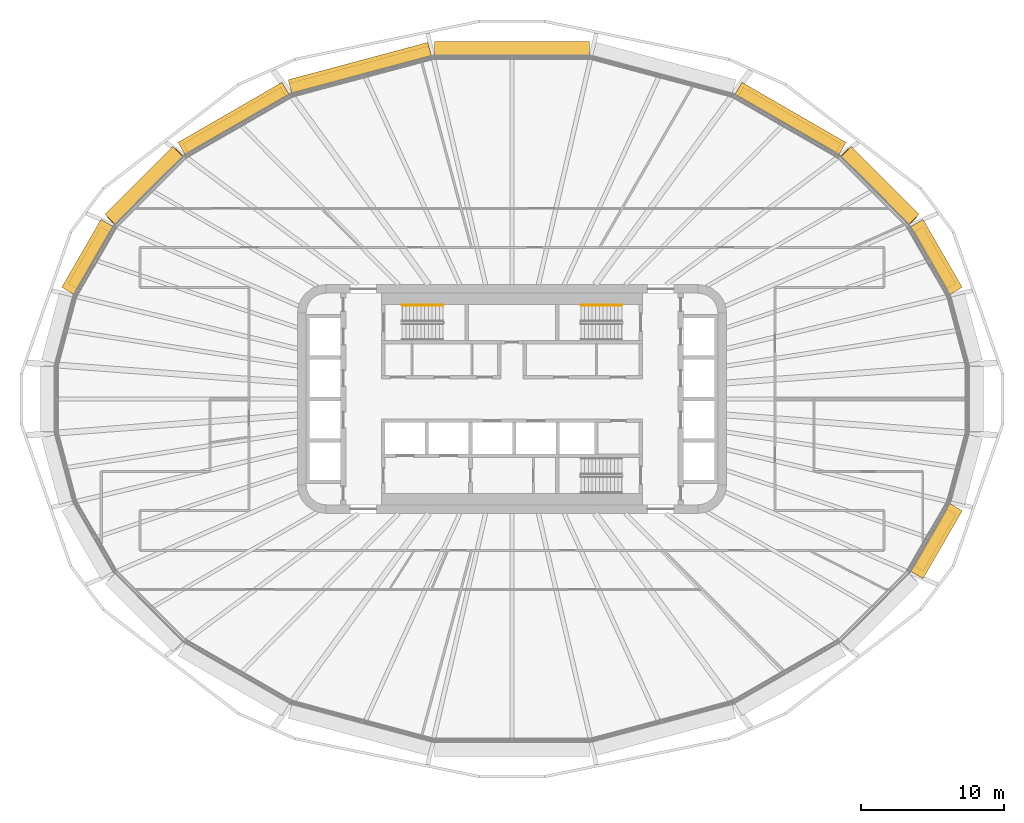
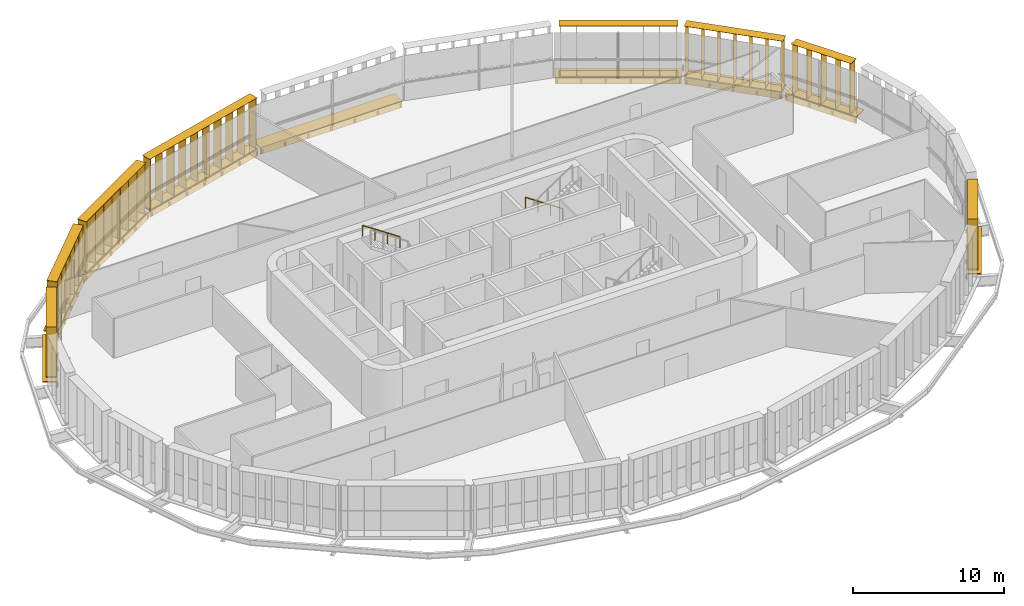
# One storey, part 24 of 25: 17 shading devices, 2 railings.
"""IFC4 building model written with IfcOpenShell, lengths in metres."""

from ifc_helpers import new_model, si_unit, direction, frame, origin, origin_2d, place, context, subcontext, project, spatial, rectangle, circle, extrude, material, type_object, element, save


model = new_model("IFC4")

# Units and contexts
model_context = context("Model", 3, precision=1e-05, world=origin(), true_north=direction((0.0, 1.0)))
body_context = subcontext(model_context, "Body", "Model", "MODEL_VIEW")
ifc_project = project(units=[si_unit("LENGTHUNIT", "METRE"), si_unit("AREAUNIT", "SQUARE_METRE"), si_unit("VOLUMEUNIT", "CUBIC_METRE"), si_unit("PLANEANGLEUNIT", "RADIAN"), si_unit("MASSUNIT", "GRAM", prefix="KILO")], contexts=[model_context])

# Site, building, storey
site_placement = place(None, origin())
site = spatial("IfcSite", under=ifc_project, at=site_placement, CompositionType="ELEMENT")
building_placement = place(site_placement, origin())
building = spatial("IfcBuilding", under=site, at=building_placement, Name="Sahrelin Media Tower", CompositionType="ELEMENT")
storey_placement = place(building_placement, frame((0.0, 0.0, 110.39990234375)))
storey = spatial("IfcBuildingStorey", under=building, at=storey_placement, Name="L21", CompositionType="ELEMENT", Elevation=110.39990234375)

# Shading devices
ifc_material_1 = material(Name="Champagne anodised aluminium 6063-T6", Category="aluminium")
shading_device_type_1 = type_object("IfcShadingDeviceType", Name="Fin cassette", PredefinedType="USERDEFINED", material=ifc_material_1)
placement_1 = place(storey_placement, frame((29.231689453125, 9.67041015625, 0.0), z_axis=(0.0, 0.0, 1.0), x_axis=(0.500011000363, -0.866019052629, 0.0)))
element("IfcShadingDevice", 1, at=placement_1, inside=storey, type_object=shading_device_type_1, Name="L21:FIN:L21-02", ObjectType="FIN", PredefinedType="USERDEFINED", context=body_context, shape_type="SweptSolid", body=[
    extrude(rectangle(XDim=4.60009765625, YDim=0.699951171875, at=origin_2d()), frame((0.0, 0.419921875, 0.0)), (0.0, 0.0, 1.0), 0.02001953125),
    extrude(rectangle(XDim=4.60009765625, YDim=0.699951171875, at=origin_2d()), frame((0.0, 0.419921875, 4.10009765625)), (0.0, 0.0, 1.0), 0.02001953125),
    extrude(rectangle(XDim=0.02001953125, YDim=0.699951171875, at=origin_2d()), frame((-2.199951171875, 0.419921875, 0.010009765625), z_axis=(0.0, 0.0, 1.0), x_axis=(1.0, 0.0, 0.0)), (0.0, 0.0, 1.0), 4.10009765625),
    extrude(rectangle(XDim=0.02001953125, YDim=0.699951171875, at=origin_2d()), frame((-1.10009765625, 0.419921875, 0.010009765625), z_axis=(0.0, 0.0, 1.0), x_axis=(1.0, 0.0, 0.0)), (0.0, 0.0, 1.0), 4.10009765625),
    extrude(rectangle(XDim=0.02001953125, YDim=0.699951171875, at=origin_2d()), frame((0.0, 0.419921875, 0.010009765625), z_axis=(0.0, 0.0, 1.0), x_axis=(1.0, 0.0, 0.0)), (0.0, 0.0, 1.0), 4.10009765625),
    extrude(rectangle(XDim=0.02001953125, YDim=0.699951171875, at=origin_2d()), frame((1.10009765625, 0.419921875, 0.010009765625), z_axis=(0.0, 0.0, 1.0), x_axis=(1.0, 0.0, 0.0)), (0.0, 0.0, 1.0), 4.10009765625),
    extrude(rectangle(XDim=0.02001953125, YDim=0.699951171875, at=origin_2d()), frame((2.199951171875, 0.419921875, 0.010009765625), z_axis=(0.0, 0.0, 1.0), x_axis=(1.0, 0.0, 0.0)), (0.0, 0.0, 1.0), 4.10009765625),
])
placement_2 = place(storey_placement, frame((25.371337890625, 14.5703125, 0.0), z_axis=(0.0, 0.0, 1.0), x_axis=(0.707106781187, -0.707106781187, 0.0)))
element("IfcShadingDevice", 2, at=placement_2, inside=storey, type_object=shading_device_type_1, Name="L21:FIN:L21-03", ObjectType="FIN", PredefinedType="USERDEFINED", context=body_context, shape_type="SweptSolid", body=[
    extrude(rectangle(XDim=6.800048828125, YDim=0.699951171875, at=origin_2d()), frame((0.0, 0.419921875, 0.0)), (0.0, 0.0, 1.0), 0.02001953125),
    extrude(rectangle(XDim=6.800048828125, YDim=0.699951171875, at=origin_2d()), frame((0.0, 0.419921875, 4.10009765625)), (0.0, 0.0, 1.0), 0.02001953125),
    extrude(rectangle(XDim=0.02001953125, YDim=0.699951171875, at=origin_2d()), frame((-3.300048828125, 0.419921875, 0.010009765625), z_axis=(0.0, 0.0, 1.0), x_axis=(1.0, 0.0, 0.0)), (0.0, 0.0, 1.0), 4.10009765625),
    extrude(rectangle(XDim=0.02001953125, YDim=0.699951171875, at=origin_2d()), frame((-2.199951171875, 0.419921875, 0.010009765625), z_axis=(0.0, 0.0, 1.0), x_axis=(1.0, 0.0, 0.0)), (0.0, 0.0, 1.0), 4.10009765625),
    extrude(rectangle(XDim=0.02001953125, YDim=0.699951171875, at=origin_2d()), frame((-1.10009765625, 0.419921875, 0.010009765625), z_axis=(0.0, 0.0, 1.0), x_axis=(1.0, 0.0, 0.0)), (0.0, 0.0, 1.0), 4.10009765625),
    extrude(rectangle(XDim=0.02001953125, YDim=0.699951171875, at=origin_2d()), frame((0.0, 0.419921875, 0.010009765625), z_axis=(0.0, 0.0, 1.0), x_axis=(1.0, 0.0, 0.0)), (0.0, 0.0, 1.0), 4.10009765625),
    extrude(rectangle(XDim=0.02001953125, YDim=0.699951171875, at=origin_2d()), frame((1.10009765625, 0.419921875, 0.010009765625), z_axis=(0.0, 0.0, 1.0), x_axis=(1.0, 0.0, 0.0)), (0.0, 0.0, 1.0), 4.10009765625),
    extrude(rectangle(XDim=0.02001953125, YDim=0.699951171875, at=origin_2d()), frame((2.199951171875, 0.419921875, 0.010009765625), z_axis=(0.0, 0.0, 1.0), x_axis=(1.0, 0.0, 0.0)), (0.0, 0.0, 1.0), 4.10009765625),
    extrude(rectangle(XDim=0.02001953125, YDim=0.699951171875, at=origin_2d()), frame((3.300048828125, 0.419921875, 0.010009765625), z_axis=(0.0, 0.0, 1.0), x_axis=(1.0, 0.0, 0.0)), (0.0, 0.0, 1.0), 4.10009765625),
])
placement_3 = place(storey_placement, frame((19.20751953125, 19.160400390625, 0.0), z_axis=(0.0, 0.0, 1.0), x_axis=(0.866019052629, -0.500011000363, 0.0)))
element("IfcShadingDevice", 3, at=placement_3, inside=storey, type_object=shading_device_type_1, Name="L21:FIN:L21-04", ObjectType="FIN", PredefinedType="USERDEFINED", context=body_context, shape_type="SweptSolid", body=[
    extrude(rectangle(XDim=7.89990234375, YDim=0.699951171875, at=origin_2d()), frame((0.0, 0.419921875, 0.0)), (0.0, 0.0, 1.0), 0.02001953125),
    extrude(rectangle(XDim=7.89990234375, YDim=0.699951171875, at=origin_2d()), frame((0.0, 0.419921875, 4.10009765625)), (0.0, 0.0, 1.0), 0.02001953125),
    extrude(rectangle(XDim=0.02001953125, YDim=0.699951171875, at=origin_2d()), frame((-3.85009765625, 0.419921875, 0.010009765625), z_axis=(0.0, 0.0, 1.0), x_axis=(1.0, 0.0, 0.0)), (0.0, 0.0, 1.0), 4.10009765625),
    extrude(rectangle(XDim=0.02001953125, YDim=0.699951171875, at=origin_2d()), frame((-2.75, 0.419921875, 0.010009765625), z_axis=(0.0, 0.0, 1.0), x_axis=(1.0, 0.0, 0.0)), (0.0, 0.0, 1.0), 4.10009765625),
    extrude(rectangle(XDim=0.02001953125, YDim=0.699951171875, at=origin_2d()), frame((-1.64990234375, 0.419921875, 0.010009765625), z_axis=(0.0, 0.0, 1.0), x_axis=(1.0, 0.0, 0.0)), (0.0, 0.0, 1.0), 4.10009765625),
    extrude(rectangle(XDim=0.02001953125, YDim=0.699951171875, at=origin_2d()), frame((-0.550048828125, 0.419921875, 0.010009765625), z_axis=(0.0, 0.0, 1.0), x_axis=(1.0, 0.0, 0.0)), (0.0, 0.0, 1.0), 4.10009765625),
    extrude(rectangle(XDim=0.02001953125, YDim=0.699951171875, at=origin_2d()), frame((0.550048828125, 0.419921875, 0.010009765625), z_axis=(0.0, 0.0, 1.0), x_axis=(1.0, 0.0, 0.0)), (0.0, 0.0, 1.0), 4.10009765625),
    extrude(rectangle(XDim=0.02001953125, YDim=0.699951171875, at=origin_2d()), frame((1.64990234375, 0.419921875, 0.010009765625), z_axis=(0.0, 0.0, 1.0), x_axis=(1.0, 0.0, 0.0)), (0.0, 0.0, 1.0), 4.10009765625),
    extrude(rectangle(XDim=0.02001953125, YDim=0.699951171875, at=origin_2d()), frame((2.75, 0.419921875, 0.010009765625), z_axis=(0.0, 0.0, 1.0), x_axis=(1.0, 0.0, 0.0)), (0.0, 0.0, 1.0), 4.10009765625),
    extrude(rectangle(XDim=0.02001953125, YDim=0.699951171875, at=origin_2d()), frame((3.85009765625, 0.419921875, 0.010009765625), z_axis=(0.0, 0.0, 1.0), x_axis=(1.0, 0.0, 0.0)), (0.0, 0.0, 1.0), 4.10009765625),
])
placement_4 = place(storey_placement, frame((-10.50732421875, 22.643798828125, 0.0), z_axis=(0.0, 0.0, 1.0), x_axis=(0.965928857556, 0.258807731996, 0.0)))
element("IfcShadingDevice", 4, at=placement_4, inside=storey, type_object=shading_device_type_1, Name="L21:FIN:L21-07", ObjectType="FIN", PredefinedType="USERDEFINED", context=body_context, shape_type="SweptSolid", body=[
    extrude(rectangle(XDim=10.10009765625, YDim=0.699951171875, at=origin_2d()), frame((0.0, 0.419921875, 0.0)), (0.0, 0.0, 1.0), 0.02001953125),
    extrude(rectangle(XDim=10.10009765625, YDim=0.699951171875, at=origin_2d()), frame((0.0, 0.419921875, 4.10009765625)), (0.0, 0.0, 1.0), 0.02001953125),
    extrude(rectangle(XDim=0.02001953125, YDim=0.699951171875, at=origin_2d()), frame((-4.949951171875, 0.419921875, 0.010009765625), z_axis=(0.0, 0.0, 1.0), x_axis=(1.0, 0.0, 0.0)), (0.0, 0.0, 1.0), 4.10009765625),
    extrude(rectangle(XDim=0.02001953125, YDim=0.699951171875, at=origin_2d()), frame((-3.85009765625, 0.419921875, 0.010009765625), z_axis=(0.0, 0.0, 1.0), x_axis=(1.0, 0.0, 0.0)), (0.0, 0.0, 1.0), 4.10009765625),
    extrude(rectangle(XDim=0.02001953125, YDim=0.699951171875, at=origin_2d()), frame((-2.75, 0.419921875, 0.010009765625), z_axis=(0.0, 0.0, 1.0), x_axis=(1.0, 0.0, 0.0)), (0.0, 0.0, 1.0), 4.10009765625),
    extrude(rectangle(XDim=0.02001953125, YDim=0.699951171875, at=origin_2d()), frame((-1.64990234375, 0.419921875, 0.010009765625), z_axis=(0.0, 0.0, 1.0), x_axis=(1.0, 0.0, 0.0)), (0.0, 0.0, 1.0), 4.10009765625),
    extrude(rectangle(XDim=0.02001953125, YDim=0.699951171875, at=origin_2d()), frame((-0.550048828125, 0.419921875, 0.010009765625), z_axis=(0.0, 0.0, 1.0), x_axis=(1.0, 0.0, 0.0)), (0.0, 0.0, 1.0), 4.10009765625),
    extrude(rectangle(XDim=0.02001953125, YDim=0.699951171875, at=origin_2d()), frame((0.550048828125, 0.419921875, 0.010009765625), z_axis=(0.0, 0.0, 1.0), x_axis=(1.0, 0.0, 0.0)), (0.0, 0.0, 1.0), 4.10009765625),
    extrude(rectangle(XDim=0.02001953125, YDim=0.699951171875, at=origin_2d()), frame((1.64990234375, 0.419921875, 0.010009765625), z_axis=(0.0, 0.0, 1.0), x_axis=(1.0, 0.0, 0.0)), (0.0, 0.0, 1.0), 4.10009765625),
    extrude(rectangle(XDim=0.02001953125, YDim=0.699951171875, at=origin_2d()), frame((2.75, 0.419921875, 0.010009765625), z_axis=(0.0, 0.0, 1.0), x_axis=(1.0, 0.0, 0.0)), (0.0, 0.0, 1.0), 4.10009765625),
    extrude(rectangle(XDim=0.02001953125, YDim=0.699951171875, at=origin_2d()), frame((3.85009765625, 0.419921875, 0.010009765625), z_axis=(0.0, 0.0, 1.0), x_axis=(1.0, 0.0, 0.0)), (0.0, 0.0, 1.0), 4.10009765625),
    extrude(rectangle(XDim=0.02001953125, YDim=0.699951171875, at=origin_2d()), frame((4.949951171875, 0.419921875, 0.010009765625), z_axis=(0.0, 0.0, 1.0), x_axis=(1.0, 0.0, 0.0)), (0.0, 0.0, 1.0), 4.10009765625),
])
placement_5 = place(storey_placement, frame((-19.20751953125, 19.160400390625, 0.0), z_axis=(0.0, 0.0, 1.0), x_axis=(0.866019052629, 0.500011000363, 0.0)))
element("IfcShadingDevice", 5, at=placement_5, inside=storey, type_object=shading_device_type_1, Name="L21:FIN:L21-08", ObjectType="FIN", PredefinedType="USERDEFINED", context=body_context, shape_type="SweptSolid", body=[
    extrude(rectangle(XDim=7.89990234375, YDim=0.699951171875, at=origin_2d()), frame((0.0, 0.419921875, 0.0)), (0.0, 0.0, 1.0), 0.02001953125),
    extrude(rectangle(XDim=7.89990234375, YDim=0.699951171875, at=origin_2d()), frame((0.0, 0.419921875, 4.10009765625)), (0.0, 0.0, 1.0), 0.02001953125),
    extrude(rectangle(XDim=0.02001953125, YDim=0.699951171875, at=origin_2d()), frame((-3.85009765625, 0.419921875, 0.010009765625), z_axis=(0.0, 0.0, 1.0), x_axis=(1.0, 0.0, 0.0)), (0.0, 0.0, 1.0), 4.10009765625),
    extrude(rectangle(XDim=0.02001953125, YDim=0.699951171875, at=origin_2d()), frame((-2.75, 0.419921875, 0.010009765625), z_axis=(0.0, 0.0, 1.0), x_axis=(1.0, 0.0, 0.0)), (0.0, 0.0, 1.0), 4.10009765625),
    extrude(rectangle(XDim=0.02001953125, YDim=0.699951171875, at=origin_2d()), frame((-1.64990234375, 0.419921875, 0.010009765625), z_axis=(0.0, 0.0, 1.0), x_axis=(1.0, 0.0, 0.0)), (0.0, 0.0, 1.0), 4.10009765625),
    extrude(rectangle(XDim=0.02001953125, YDim=0.699951171875, at=origin_2d()), frame((-0.550048828125, 0.419921875, 0.010009765625), z_axis=(0.0, 0.0, 1.0), x_axis=(1.0, 0.0, 0.0)), (0.0, 0.0, 1.0), 4.10009765625),
    extrude(rectangle(XDim=0.02001953125, YDim=0.699951171875, at=origin_2d()), frame((0.550048828125, 0.419921875, 0.010009765625), z_axis=(0.0, 0.0, 1.0), x_axis=(1.0, 0.0, 0.0)), (0.0, 0.0, 1.0), 4.10009765625),
    extrude(rectangle(XDim=0.02001953125, YDim=0.699951171875, at=origin_2d()), frame((1.64990234375, 0.419921875, 0.010009765625), z_axis=(0.0, 0.0, 1.0), x_axis=(1.0, 0.0, 0.0)), (0.0, 0.0, 1.0), 4.10009765625),
    extrude(rectangle(XDim=0.02001953125, YDim=0.699951171875, at=origin_2d()), frame((2.75, 0.419921875, 0.010009765625), z_axis=(0.0, 0.0, 1.0), x_axis=(1.0, 0.0, 0.0)), (0.0, 0.0, 1.0), 4.10009765625),
    extrude(rectangle(XDim=0.02001953125, YDim=0.699951171875, at=origin_2d()), frame((3.85009765625, 0.419921875, 0.010009765625), z_axis=(0.0, 0.0, 1.0), x_axis=(1.0, 0.0, 0.0)), (0.0, 0.0, 1.0), 4.10009765625),
])
placement_6 = place(storey_placement, frame((-25.371337890625, 14.5703125, 0.0), z_axis=(0.0, 0.0, 1.0), x_axis=(0.707106781187, 0.707106781187, 0.0)))
element("IfcShadingDevice", 6, at=placement_6, inside=storey, type_object=shading_device_type_1, Name="L21:FIN:L21-09", ObjectType="FIN", PredefinedType="USERDEFINED", context=body_context, shape_type="SweptSolid", body=[
    extrude(rectangle(XDim=6.800048828125, YDim=0.699951171875, at=origin_2d()), frame((0.0, 0.419921875, 0.0)), (0.0, 0.0, 1.0), 0.02001953125),
    extrude(rectangle(XDim=6.800048828125, YDim=0.699951171875, at=origin_2d()), frame((0.0, 0.419921875, 4.10009765625)), (0.0, 0.0, 1.0), 0.02001953125),
    extrude(rectangle(XDim=0.02001953125, YDim=0.699951171875, at=origin_2d()), frame((-3.300048828125, 0.419921875, 0.010009765625), z_axis=(0.0, 0.0, 1.0), x_axis=(1.0, 0.0, 0.0)), (0.0, 0.0, 1.0), 4.10009765625),
    extrude(rectangle(XDim=0.02001953125, YDim=0.699951171875, at=origin_2d()), frame((-2.199951171875, 0.419921875, 0.010009765625), z_axis=(0.0, 0.0, 1.0), x_axis=(1.0, 0.0, 0.0)), (0.0, 0.0, 1.0), 4.10009765625),
    extrude(rectangle(XDim=0.02001953125, YDim=0.699951171875, at=origin_2d()), frame((-1.10009765625, 0.419921875, 0.010009765625), z_axis=(0.0, 0.0, 1.0), x_axis=(1.0, 0.0, 0.0)), (0.0, 0.0, 1.0), 4.10009765625),
    extrude(rectangle(XDim=0.02001953125, YDim=0.699951171875, at=origin_2d()), frame((0.0, 0.419921875, 0.010009765625), z_axis=(0.0, 0.0, 1.0), x_axis=(1.0, 0.0, 0.0)), (0.0, 0.0, 1.0), 4.10009765625),
    extrude(rectangle(XDim=0.02001953125, YDim=0.699951171875, at=origin_2d()), frame((1.10009765625, 0.419921875, 0.010009765625), z_axis=(0.0, 0.0, 1.0), x_axis=(1.0, 0.0, 0.0)), (0.0, 0.0, 1.0), 4.10009765625),
    extrude(rectangle(XDim=0.02001953125, YDim=0.699951171875, at=origin_2d()), frame((2.199951171875, 0.419921875, 0.010009765625), z_axis=(0.0, 0.0, 1.0), x_axis=(1.0, 0.0, 0.0)), (0.0, 0.0, 1.0), 4.10009765625),
    extrude(rectangle(XDim=0.02001953125, YDim=0.699951171875, at=origin_2d()), frame((3.300048828125, 0.419921875, 0.010009765625), z_axis=(0.0, 0.0, 1.0), x_axis=(1.0, 0.0, 0.0)), (0.0, 0.0, 1.0), 4.10009765625),
])
placement_7 = place(storey_placement, frame((-29.231689453125, 9.67041015625, 0.0), z_axis=(0.0, 0.0, 1.0), x_axis=(0.500011000363, 0.866019052629, 0.0)))
element("IfcShadingDevice", 7, at=placement_7, inside=storey, type_object=shading_device_type_1, Name="L21:FIN:L21-10", ObjectType="FIN", PredefinedType="USERDEFINED", context=body_context, shape_type="SweptSolid", body=[
    extrude(rectangle(XDim=4.60009765625, YDim=0.699951171875, at=origin_2d()), frame((0.0, 0.419921875, 0.0)), (0.0, 0.0, 1.0), 0.02001953125),
    extrude(rectangle(XDim=4.60009765625, YDim=0.699951171875, at=origin_2d()), frame((0.0, 0.419921875, 4.10009765625)), (0.0, 0.0, 1.0), 0.02001953125),
    extrude(rectangle(XDim=0.02001953125, YDim=0.699951171875, at=origin_2d()), frame((-2.199951171875, 0.419921875, 0.010009765625), z_axis=(0.0, 0.0, 1.0), x_axis=(1.0, 0.0, 0.0)), (0.0, 0.0, 1.0), 4.10009765625),
    extrude(rectangle(XDim=0.02001953125, YDim=0.699951171875, at=origin_2d()), frame((-1.10009765625, 0.419921875, 0.010009765625), z_axis=(0.0, 0.0, 1.0), x_axis=(1.0, 0.0, 0.0)), (0.0, 0.0, 1.0), 4.10009765625),
    extrude(rectangle(XDim=0.02001953125, YDim=0.699951171875, at=origin_2d()), frame((0.0, 0.419921875, 0.010009765625), z_axis=(0.0, 0.0, 1.0), x_axis=(1.0, 0.0, 0.0)), (0.0, 0.0, 1.0), 4.10009765625),
    extrude(rectangle(XDim=0.02001953125, YDim=0.699951171875, at=origin_2d()), frame((1.10009765625, 0.419921875, 0.010009765625), z_axis=(0.0, 0.0, 1.0), x_axis=(1.0, 0.0, 0.0)), (0.0, 0.0, 1.0), 4.10009765625),
    extrude(rectangle(XDim=0.02001953125, YDim=0.699951171875, at=origin_2d()), frame((2.199951171875, 0.419921875, 0.010009765625), z_axis=(0.0, 0.0, 1.0), x_axis=(1.0, 0.0, 0.0)), (0.0, 0.0, 1.0), 4.10009765625),
])
placement_8 = place(storey_placement, frame((29.231689453125, -9.67041015625, 0.0), z_axis=(0.0, 0.0, 1.0), x_axis=(-0.500011000363, -0.866019052629, 0.0)))
element("IfcShadingDevice", 8, at=placement_8, inside=storey, type_object=shading_device_type_1, Name="L21:FIN:L21-22", ObjectType="FIN", PredefinedType="USERDEFINED", context=body_context, shape_type="SweptSolid", body=[
    extrude(rectangle(XDim=4.60009765625, YDim=0.699951171875, at=origin_2d()), frame((0.0, 0.419921875, 0.0)), (0.0, 0.0, 1.0), 0.02001953125),
    extrude(rectangle(XDim=4.60009765625, YDim=0.699951171875, at=origin_2d()), frame((0.0, 0.419921875, 4.10009765625)), (0.0, 0.0, 1.0), 0.02001953125),
    extrude(rectangle(XDim=0.02001953125, YDim=0.699951171875, at=origin_2d()), frame((-2.199951171875, 0.419921875, 0.010009765625), z_axis=(0.0, 0.0, 1.0), x_axis=(1.0, 0.0, 0.0)), (0.0, 0.0, 1.0), 4.10009765625),
    extrude(rectangle(XDim=0.02001953125, YDim=0.699951171875, at=origin_2d()), frame((-1.10009765625, 0.419921875, 0.010009765625), z_axis=(0.0, 0.0, 1.0), x_axis=(1.0, 0.0, 0.0)), (0.0, 0.0, 1.0), 4.10009765625),
    extrude(rectangle(XDim=0.02001953125, YDim=0.699951171875, at=origin_2d()), frame((0.0, 0.419921875, 0.010009765625), z_axis=(0.0, 0.0, 1.0), x_axis=(1.0, 0.0, 0.0)), (0.0, 0.0, 1.0), 4.10009765625),
    extrude(rectangle(XDim=0.02001953125, YDim=0.699951171875, at=origin_2d()), frame((1.10009765625, 0.419921875, 0.010009765625), z_axis=(0.0, 0.0, 1.0), x_axis=(1.0, 0.0, 0.0)), (0.0, 0.0, 1.0), 4.10009765625),
    extrude(rectangle(XDim=0.02001953125, YDim=0.699951171875, at=origin_2d()), frame((2.199951171875, 0.419921875, 0.010009765625), z_axis=(0.0, 0.0, 1.0), x_axis=(1.0, 0.0, 0.0)), (0.0, 0.0, 1.0), 4.10009765625),
])

# Railings
ifc_material_2 = material(Name="Steel S355", Category="steel")
railing_type = type_object("IfcRailingType", Name="Stair handrail 900", PredefinedType="HANDRAIL", material=ifc_material_2)
for number, where, name in (
    (9, (-4.81494140625, 6.550048828125, 2.275146484375), "L21 ST1 stair handrail 2"),
    (10, (7.675048828125, 6.550048828125, 0.175048828125), "L21 ST3 stair handrail 1"),
):
    element("IfcRailing", number, at=place(storey_placement, frame(where)), inside=storey, type_object=railing_type, Name=name, PredefinedType="HANDRAIL", context=body_context, shape_type="SweptSolid", body=[
        extrude(circle(Radius=0.02392578125, at=origin_2d()), frame((0.0, 0.0, 0.8759765625), z_axis=(-0.829590901723, 0.0, 0.558371682465), x_axis=(0.0, -1.0, 0.0)), (0.0, 0.0, 1.0), 3.447509765625),
        extrude(circle(Radius=0.02099609375, at=origin_2d()), origin(), (0.0, 0.0, 1.0), 0.851806640625),
        extrude(circle(Radius=0.02099609375, at=origin_2d()), frame((-0.953369140625, 0.0, 0.6416015625)), (0.0, 0.0, 1.0), 0.851806640625),
        extrude(circle(Radius=0.02099609375, at=origin_2d()), frame((-1.90673828125, 0.0, 1.283447265625)), (0.0, 0.0, 1.0), 0.851806640625),
        extrude(circle(Radius=0.02099609375, at=origin_2d()), frame((-2.860107421875, 0.0, 1.925048828125)), (0.0, 0.0, 1.0), 0.851806640625),
    ])

# Shading devices
shading_device_type_2 = type_object("IfcShadingDeviceType", Name="Sunshade band", PredefinedType="USERDEFINED", material=ifc_material_1)
element("IfcShadingDevice", 11, at=placement_1, inside=storey, type_object=shading_device_type_2, Name="L21:SUN:L21-02", ObjectType="SUNSHADE", PredefinedType="USERDEFINED", context=body_context, shape_type="SweptSolid", body=[
    extrude(rectangle(XDim=5.481201171875, YDim=0.050048828125, at=origin_2d()), frame((0.0, 0.044921875, -0.55126953125)), (0.0, 0.0, 1.0), 0.471435546875),
    extrude(rectangle(XDim=5.481201171875, YDim=1.0, at=origin_2d()), frame((0.0, 0.52001953125, -0.080078125)), (0.0, 0.0, 1.0), 0.080078125),
    extrude(rectangle(XDim=0.10009765625, YDim=0.074951171875, at=origin_2d()), frame((-2.640625, -0.017578125, -0.47021484375)), (0.0, 0.0, 1.0), 0.300048828125),
    extrude(rectangle(XDim=0.10009765625, YDim=0.074951171875, at=origin_2d()), frame((-0.880126953125, -0.017578125, -0.47021484375)), (0.0, 0.0, 1.0), 0.300048828125),
    extrude(rectangle(XDim=0.10009765625, YDim=0.074951171875, at=origin_2d()), frame((0.880126953125, -0.017578125, -0.47021484375)), (0.0, 0.0, 1.0), 0.300048828125),
    extrude(rectangle(XDim=0.10009765625, YDim=0.074951171875, at=origin_2d()), frame((2.640625, -0.017578125, -0.47021484375)), (0.0, 0.0, 1.0), 0.300048828125),
])
element("IfcShadingDevice", 12, at=placement_2, inside=storey, type_object=shading_device_type_2, Name="L21:SUN:L21-03", ObjectType="SUNSHADE", PredefinedType="USERDEFINED", context=body_context, shape_type="SweptSolid", body=[
    extrude(rectangle(XDim=6.701416015625, YDim=0.050048828125, at=origin_2d()), frame((0.0, 0.044921875, -0.55126953125)), (0.0, 0.0, 1.0), 0.471435546875),
    extrude(rectangle(XDim=6.701416015625, YDim=1.0, at=origin_2d()), frame((0.0, 0.52001953125, -0.080078125)), (0.0, 0.0, 1.0), 0.080078125),
    extrude(rectangle(XDim=0.10009765625, YDim=0.074951171875, at=origin_2d()), frame((-3.250732421875, -0.017578125, -0.47021484375)), (0.0, 0.0, 1.0), 0.300048828125),
    extrude(rectangle(XDim=0.10009765625, YDim=0.074951171875, at=origin_2d()), frame((-1.625244140625, -0.017578125, -0.47021484375)), (0.0, 0.0, 1.0), 0.300048828125),
    extrude(rectangle(XDim=0.10009765625, YDim=0.074951171875, at=origin_2d()), frame((0.0, -0.017578125, -0.47021484375)), (0.0, 0.0, 1.0), 0.300048828125),
    extrude(rectangle(XDim=0.10009765625, YDim=0.074951171875, at=origin_2d()), frame((1.625244140625, -0.017578125, -0.47021484375)), (0.0, 0.0, 1.0), 0.300048828125),
    extrude(rectangle(XDim=0.10009765625, YDim=0.074951171875, at=origin_2d()), frame((3.250732421875, -0.017578125, -0.47021484375)), (0.0, 0.0, 1.0), 0.300048828125),
])
element("IfcShadingDevice", 13, at=placement_3, inside=storey, type_object=shading_device_type_2, Name="L21:SUN:L21-04", ObjectType="SUNSHADE", PredefinedType="USERDEFINED", context=body_context, shape_type="SweptSolid", body=[
    extrude(rectangle(XDim=8.39990234375, YDim=0.050048828125, at=origin_2d()), frame((0.0, 0.044921875, -0.55126953125)), (0.0, 0.0, 1.0), 0.471435546875),
    extrude(rectangle(XDim=8.39990234375, YDim=1.0, at=origin_2d()), frame((0.0, 0.52001953125, -0.080078125)), (0.0, 0.0, 1.0), 0.080078125),
    extrude(rectangle(XDim=0.10009765625, YDim=0.074951171875, at=origin_2d()), frame((-4.10009765625, -0.017578125, -0.47021484375)), (0.0, 0.0, 1.0), 0.300048828125),
    extrude(rectangle(XDim=0.10009765625, YDim=0.074951171875, at=origin_2d()), frame((-2.4599609375, -0.017578125, -0.47021484375)), (0.0, 0.0, 1.0), 0.300048828125),
    extrude(rectangle(XDim=0.10009765625, YDim=0.074951171875, at=origin_2d()), frame((-0.820068359375, -0.017578125, -0.47021484375)), (0.0, 0.0, 1.0), 0.300048828125),
    extrude(rectangle(XDim=0.10009765625, YDim=0.074951171875, at=origin_2d()), frame((0.820068359375, -0.017578125, -0.47021484375)), (0.0, 0.0, 1.0), 0.300048828125),
    extrude(rectangle(XDim=0.10009765625, YDim=0.074951171875, at=origin_2d()), frame((2.4599609375, -0.017578125, -0.47021484375)), (0.0, 0.0, 1.0), 0.300048828125),
    extrude(rectangle(XDim=0.10009765625, YDim=0.074951171875, at=origin_2d()), frame((4.10009765625, -0.017578125, -0.47021484375)), (0.0, 0.0, 1.0), 0.300048828125),
])
shading_device_12_placement = place(storey_placement, frame((0.0, 23.97705078125, 0.0), z_axis=(0.0, 0.0, 1.0), x_axis=(1.0, 0.0, 0.0)))
element("IfcShadingDevice", 14, at=shading_device_12_placement, inside=storey, type_object=shading_device_type_2, Name="L21:SUN:L21-06", ObjectType="SUNSHADE", PredefinedType="USERDEFINED", context=body_context, shape_type="SweptSolid", body=[
    extrude(rectangle(XDim=10.86181640625, YDim=0.050048828125, at=origin_2d()), frame((0.0, 0.044921875, -0.55126953125)), (0.0, 0.0, 1.0), 0.471435546875),
    extrude(rectangle(XDim=10.86181640625, YDim=1.0, at=origin_2d()), frame((0.0, 0.52001953125, -0.080078125)), (0.0, 0.0, 1.0), 0.080078125),
    extrude(rectangle(XDim=0.10009765625, YDim=0.074951171875, at=origin_2d()), frame((-5.330810546875, -0.017578125, -0.47021484375)), (0.0, 0.0, 1.0), 0.300048828125),
    extrude(rectangle(XDim=0.10009765625, YDim=0.074951171875, at=origin_2d()), frame((-3.553955078125, -0.017578125, -0.47021484375)), (0.0, 0.0, 1.0), 0.300048828125),
    extrude(rectangle(XDim=0.10009765625, YDim=0.074951171875, at=origin_2d()), frame((-1.777099609375, -0.017578125, -0.47021484375)), (0.0, 0.0, 1.0), 0.300048828125),
    extrude(rectangle(XDim=0.10009765625, YDim=0.074951171875, at=origin_2d()), frame((0.0, -0.017578125, -0.47021484375)), (0.0, 0.0, 1.0), 0.300048828125),
    extrude(rectangle(XDim=0.10009765625, YDim=0.074951171875, at=origin_2d()), frame((1.777099609375, -0.017578125, -0.47021484375)), (0.0, 0.0, 1.0), 0.300048828125),
    extrude(rectangle(XDim=0.10009765625, YDim=0.074951171875, at=origin_2d()), frame((3.553955078125, -0.017578125, -0.47021484375)), (0.0, 0.0, 1.0), 0.300048828125),
    extrude(rectangle(XDim=0.10009765625, YDim=0.074951171875, at=origin_2d()), frame((5.330810546875, -0.017578125, -0.47021484375)), (0.0, 0.0, 1.0), 0.300048828125),
])
element("IfcShadingDevice", 15, at=placement_4, inside=storey, type_object=shading_device_type_2, Name="L21:SUN:L21-07", ObjectType="SUNSHADE", PredefinedType="USERDEFINED", context=body_context, shape_type="SweptSolid", body=[
    extrude(rectangle(XDim=10.103759765625, YDim=0.050048828125, at=origin_2d()), frame((0.0, 0.044921875, -0.55126953125)), (0.0, 0.0, 1.0), 0.471435546875),
    extrude(rectangle(XDim=10.103759765625, YDim=1.0, at=origin_2d()), frame((0.0, 0.52001953125, -0.080078125)), (0.0, 0.0, 1.0), 0.080078125),
    extrude(rectangle(XDim=0.10009765625, YDim=0.074951171875, at=origin_2d()), frame((-4.951904296875, -0.017578125, -0.47021484375)), (0.0, 0.0, 1.0), 0.300048828125),
    extrude(rectangle(XDim=0.10009765625, YDim=0.074951171875, at=origin_2d()), frame((-3.30126953125, -0.017578125, -0.47021484375)), (0.0, 0.0, 1.0), 0.300048828125),
    extrude(rectangle(XDim=0.10009765625, YDim=0.074951171875, at=origin_2d()), frame((-1.650634765625, -0.017578125, -0.47021484375)), (0.0, 0.0, 1.0), 0.300048828125),
    extrude(rectangle(XDim=0.10009765625, YDim=0.074951171875, at=origin_2d()), frame((0.0, -0.017578125, -0.47021484375)), (0.0, 0.0, 1.0), 0.300048828125),
    extrude(rectangle(XDim=0.10009765625, YDim=0.074951171875, at=origin_2d()), frame((1.650634765625, -0.017578125, -0.47021484375)), (0.0, 0.0, 1.0), 0.300048828125),
    extrude(rectangle(XDim=0.10009765625, YDim=0.074951171875, at=origin_2d()), frame((3.30126953125, -0.017578125, -0.47021484375)), (0.0, 0.0, 1.0), 0.300048828125),
    extrude(rectangle(XDim=0.10009765625, YDim=0.074951171875, at=origin_2d()), frame((4.951904296875, -0.017578125, -0.47021484375)), (0.0, 0.0, 1.0), 0.300048828125),
])
element("IfcShadingDevice", 16, at=placement_5, inside=storey, type_object=shading_device_type_2, Name="L21:SUN:L21-08", ObjectType="SUNSHADE", PredefinedType="USERDEFINED", context=body_context, shape_type="SweptSolid", body=[
    extrude(rectangle(XDim=8.39990234375, YDim=0.050048828125, at=origin_2d()), frame((0.0, 0.044921875, -0.55126953125)), (0.0, 0.0, 1.0), 0.471435546875),
    extrude(rectangle(XDim=8.39990234375, YDim=1.0, at=origin_2d()), frame((0.0, 0.52001953125, -0.080078125)), (0.0, 0.0, 1.0), 0.080078125),
    extrude(rectangle(XDim=0.10009765625, YDim=0.074951171875, at=origin_2d()), frame((-4.10009765625, -0.017578125, -0.47021484375)), (0.0, 0.0, 1.0), 0.300048828125),
    extrude(rectangle(XDim=0.10009765625, YDim=0.074951171875, at=origin_2d()), frame((-2.4599609375, -0.017578125, -0.47021484375)), (0.0, 0.0, 1.0), 0.300048828125),
    extrude(rectangle(XDim=0.10009765625, YDim=0.074951171875, at=origin_2d()), frame((-0.820068359375, -0.017578125, -0.47021484375)), (0.0, 0.0, 1.0), 0.300048828125),
    extrude(rectangle(XDim=0.10009765625, YDim=0.074951171875, at=origin_2d()), frame((0.820068359375, -0.017578125, -0.47021484375)), (0.0, 0.0, 1.0), 0.300048828125),
    extrude(rectangle(XDim=0.10009765625, YDim=0.074951171875, at=origin_2d()), frame((2.4599609375, -0.017578125, -0.47021484375)), (0.0, 0.0, 1.0), 0.300048828125),
    extrude(rectangle(XDim=0.10009765625, YDim=0.074951171875, at=origin_2d()), frame((4.10009765625, -0.017578125, -0.47021484375)), (0.0, 0.0, 1.0), 0.300048828125),
])
element("IfcShadingDevice", 17, at=placement_6, inside=storey, type_object=shading_device_type_2, Name="L21:SUN:L21-09", ObjectType="SUNSHADE", PredefinedType="USERDEFINED", context=body_context, shape_type="SweptSolid", body=[
    extrude(rectangle(XDim=6.701416015625, YDim=0.050048828125, at=origin_2d()), frame((0.0, 0.044921875, -0.55126953125)), (0.0, 0.0, 1.0), 0.471435546875),
    extrude(rectangle(XDim=6.701416015625, YDim=1.0, at=origin_2d()), frame((0.0, 0.52001953125, -0.080078125)), (0.0, 0.0, 1.0), 0.080078125),
    extrude(rectangle(XDim=0.10009765625, YDim=0.074951171875, at=origin_2d()), frame((-3.250732421875, -0.017578125, -0.47021484375)), (0.0, 0.0, 1.0), 0.300048828125),
    extrude(rectangle(XDim=0.10009765625, YDim=0.074951171875, at=origin_2d()), frame((-1.625244140625, -0.017578125, -0.47021484375)), (0.0, 0.0, 1.0), 0.300048828125),
    extrude(rectangle(XDim=0.10009765625, YDim=0.074951171875, at=origin_2d()), frame((0.0, -0.017578125, -0.47021484375)), (0.0, 0.0, 1.0), 0.300048828125),
    extrude(rectangle(XDim=0.10009765625, YDim=0.074951171875, at=origin_2d()), frame((1.625244140625, -0.017578125, -0.47021484375)), (0.0, 0.0, 1.0), 0.300048828125),
    extrude(rectangle(XDim=0.10009765625, YDim=0.074951171875, at=origin_2d()), frame((3.250732421875, -0.017578125, -0.47021484375)), (0.0, 0.0, 1.0), 0.300048828125),
])
element("IfcShadingDevice", 18, at=placement_7, inside=storey, type_object=shading_device_type_2, Name="L21:SUN:L21-10", ObjectType="SUNSHADE", PredefinedType="USERDEFINED", context=body_context, shape_type="SweptSolid", body=[
    extrude(rectangle(XDim=5.481201171875, YDim=0.050048828125, at=origin_2d()), frame((0.0, 0.044921875, -0.55126953125)), (0.0, 0.0, 1.0), 0.471435546875),
    extrude(rectangle(XDim=5.481201171875, YDim=1.0, at=origin_2d()), frame((0.0, 0.52001953125, -0.080078125)), (0.0, 0.0, 1.0), 0.080078125),
    extrude(rectangle(XDim=0.10009765625, YDim=0.074951171875, at=origin_2d()), frame((-2.640625, -0.017578125, -0.47021484375)), (0.0, 0.0, 1.0), 0.300048828125),
    extrude(rectangle(XDim=0.10009765625, YDim=0.074951171875, at=origin_2d()), frame((-0.880126953125, -0.017578125, -0.47021484375)), (0.0, 0.0, 1.0), 0.300048828125),
    extrude(rectangle(XDim=0.10009765625, YDim=0.074951171875, at=origin_2d()), frame((0.880126953125, -0.017578125, -0.47021484375)), (0.0, 0.0, 1.0), 0.300048828125),
    extrude(rectangle(XDim=0.10009765625, YDim=0.074951171875, at=origin_2d()), frame((2.640625, -0.017578125, -0.47021484375)), (0.0, 0.0, 1.0), 0.300048828125),
])
element("IfcShadingDevice", 19, at=placement_8, inside=storey, type_object=shading_device_type_2, Name="L21:SUN:L21-22", ObjectType="SUNSHADE", PredefinedType="USERDEFINED", context=body_context, shape_type="SweptSolid", body=[
    extrude(rectangle(XDim=5.481201171875, YDim=0.050048828125, at=origin_2d()), frame((0.0, 0.044921875, -0.55126953125)), (0.0, 0.0, 1.0), 0.471435546875),
    extrude(rectangle(XDim=5.481201171875, YDim=1.0, at=origin_2d()), frame((0.0, 0.52001953125, -0.080078125)), (0.0, 0.0, 1.0), 0.080078125),
    extrude(rectangle(XDim=0.10009765625, YDim=0.074951171875, at=origin_2d()), frame((-2.640625, -0.017578125, -0.47021484375)), (0.0, 0.0, 1.0), 0.300048828125),
    extrude(rectangle(XDim=0.10009765625, YDim=0.074951171875, at=origin_2d()), frame((-0.880126953125, -0.017578125, -0.47021484375)), (0.0, 0.0, 1.0), 0.300048828125),
    extrude(rectangle(XDim=0.10009765625, YDim=0.074951171875, at=origin_2d()), frame((0.880126953125, -0.017578125, -0.47021484375)), (0.0, 0.0, 1.0), 0.300048828125),
    extrude(rectangle(XDim=0.10009765625, YDim=0.074951171875, at=origin_2d()), frame((2.640625, -0.017578125, -0.47021484375)), (0.0, 0.0, 1.0), 0.300048828125),
])

save(model, "model.ifc")
